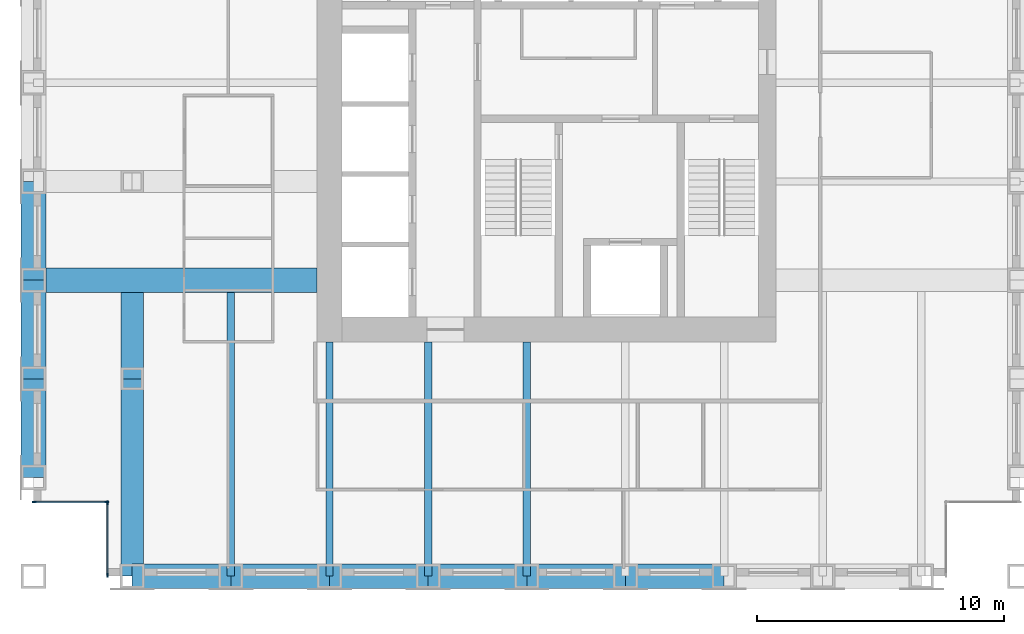
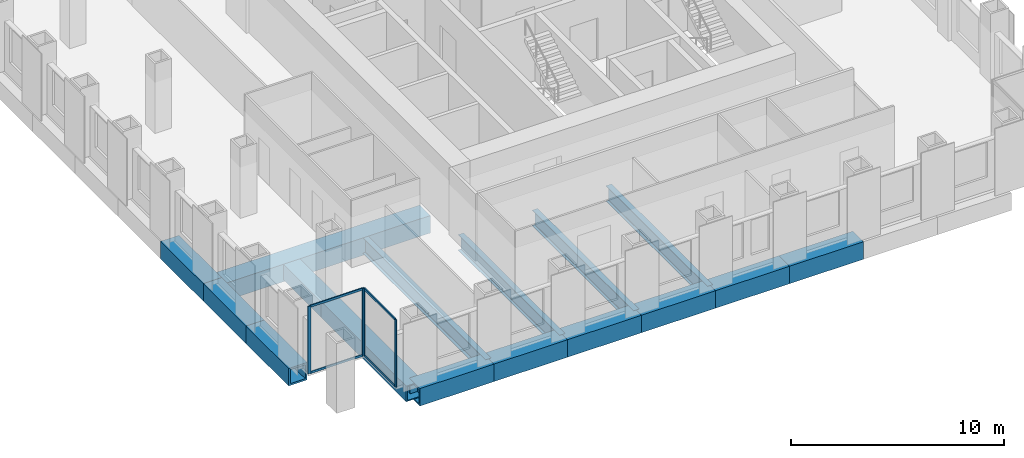
# One storey, part 2 of 13: 16 beams, 8 members, 2 elements without a shape of their own.
"""IFC4 building model written with IfcOpenShell, lengths in metres."""

from ifc_helpers import new_model, si_unit, direction, frame, origin, origin_2d, place, context, subcontext, project, spatial, rectangle, hollow_rectangle, i_section, extrude, material, material_profile, profile_set, type_object, element, aggregate, save


model = new_model("IFC4")

# Units and contexts
model_context = context("Model", 3, precision=1e-05, world=origin(), true_north=direction((0.0, 1.0)))
body_context = subcontext(model_context, "Body", "Model", "MODEL_VIEW")
ifc_project = project(units=[si_unit("LENGTHUNIT", "METRE"), si_unit("AREAUNIT", "SQUARE_METRE"), si_unit("VOLUMEUNIT", "CUBIC_METRE"), si_unit("PLANEANGLEUNIT", "RADIAN"), si_unit("MASSUNIT", "GRAM", prefix="KILO")], contexts=[model_context])

# Site, building, storey
site_placement = place(None, origin())
site = spatial("IfcSite", under=ifc_project, at=site_placement, CompositionType="ELEMENT")
building_placement = place(site_placement, origin())
building = spatial("IfcBuilding", under=site, at=building_placement, Name="Rimbunsela Tower", CompositionType="ELEMENT")
storey_placement = place(building_placement, frame((0.0, 0.0, 195.800048828125)))
storey = spatial("IfcBuildingStorey", under=building, at=storey_placement, Name="L47", CompositionType="ELEMENT", Elevation=195.800048828125)

# Beams
ifc_material_1 = material(Name="Steel BJ 55 (fy 410 MPa)", Category="steel")
ifc_material_profile_1 = material_profile(ifc_material_1, hollow_rectangle(XDim=1.0, YDim=1.0, WallThickness=0.10009765625, at=origin_2d()), Name="BOX 1000x1000x100")
ifc_profile_set_1 = profile_set([ifc_material_profile_1], Name="Steel BJ 55 (fy 410 MPa)")
beam_type_1 = type_object("IfcBeamType", Name="Beam BOX 1000x1000x100", PredefinedType="BEAM", material=ifc_profile_set_1)
for number, where, z_axis, x_axis, name in (
    (1, (6.0, 12.0, -0.650146484375), (0.0, 1.0, 0.0), (-1.0, 0.0, 0.0), "Beam B3 L47"),
    (2, (6.0, 16.0, -0.650146484375), (0.0, 1.0, 0.0), (-1.0, 0.0, 0.0), "Beam B3 L47"),
    (3, (6.0, 20.0, -0.650146484375), (0.0, 1.0, 0.0), (-1.0, 0.0, 0.0), "Beam B3 L47"),
):
    element("IfcBeam", number, at=place(storey_placement, frame(where, z_axis=z_axis, x_axis=x_axis)), inside=storey, type_object=beam_type_1, Name=name, PredefinedType="BEAM", context=body_context, shape_type="SweptSolid", body=[
        extrude(hollow_rectangle(XDim=1.0, YDim=1.0, WallThickness=0.10009765625, at=origin_2d()), origin(), (0.0, 0.0, 1.0), 4.0),
    ])
beam_1_placement = place(storey_placement, frame((6.0, 20.0, -0.650146484375), z_axis=(1.0, 0.0, 0.0), x_axis=(0.0, 1.0, 0.0)))
element("IfcBeam", 4, at=beam_1_placement, inside=storey, type_object=beam_type_1, Name="Beam B3 L47", PredefinedType="BEAM", context=body_context, shape_type="SweptSolid", body=[
    extrude(hollow_rectangle(XDim=1.0, YDim=1.0, WallThickness=0.10009765625, at=origin_2d()), origin(), (0.0, 0.0, 1.0), 11.5),
])
for number, where, z_axis, x_axis, name in (
    (5, (10.0, 8.0, -0.650146484375), (1.0, 0.0, 0.0), (0.0, 1.0, 0.0), "Beam B3 L47"),
    (6, (14.0, 8.0, -0.650146484375), (1.0, 0.0, 0.0), (0.0, 1.0, 0.0), "Beam B3 L47"),
    (7, (18.0, 8.0, -0.650146484375), (1.0, 0.0, 0.0), (0.0, 1.0, 0.0), "Beam B3 L47"),
    (8, (22.0, 8.0, -0.650146484375), (1.0, 0.0, 0.0), (0.0, 1.0, 0.0), "Beam B3 L47"),
    (9, (26.0, 8.0, -0.650146484375), (1.0, 0.0, 0.0), (0.0, 1.0, 0.0), "Beam B3 L47"),
    (10, (30.0, 8.0, -0.650146484375), (1.0, 0.0, 0.0), (0.0, 1.0, 0.0), "Beam B3 L47"),
):
    element("IfcBeam", number, at=place(storey_placement, frame(where, z_axis=z_axis, x_axis=x_axis)), inside=storey, type_object=beam_type_1, Name=name, PredefinedType="BEAM", context=body_context, shape_type="SweptSolid", body=[
        extrude(hollow_rectangle(XDim=1.0, YDim=1.0, WallThickness=0.10009765625, at=origin_2d()), origin(), (0.0, 0.0, 1.0), 4.0),
    ])
ifc_material_2 = material(Name="Steel BJ 55 (fy 410 MPa)", Category="steel")
ifc_material_profile_2 = material_profile(ifc_material_2, hollow_rectangle(XDim=0.89990234375, YDim=0.89990234375, WallThickness=0.06005859375, at=origin_2d()), Name="BOX 900x900x60")
ifc_profile_set_2 = profile_set([ifc_material_profile_2], Name="Steel BJ 55 (fy 410 MPa)")
beam_type_2 = type_object("IfcBeamType", Name="Beam BOX 900x900x60", PredefinedType="BEAM", material=ifc_profile_set_2)
beam_2_placement = place(storey_placement, frame((10.0, 8.0, -0.60009765625), z_axis=(0.0, 1.0, 0.0), x_axis=(-1.0, 0.0, 0.0)))
element("IfcBeam", 11, at=beam_2_placement, inside=storey, type_object=beam_type_2, Name="Beam B1 L47", PredefinedType="BEAM", context=body_context, shape_type="SweptSolid", body=[
    extrude(hollow_rectangle(XDim=0.89990234375, YDim=0.89990234375, WallThickness=0.06005859375, at=origin_2d()), origin(), (0.0, 0.0, 1.0), 8.0),
])
beam_3_placement = place(storey_placement, frame((10.0, 16.0, -0.60009765625), z_axis=(0.0, 1.0, 0.0), x_axis=(-1.0, 0.0, 0.0)))
element("IfcBeam", 12, at=beam_3_placement, inside=storey, type_object=beam_type_2, Name="Beam B1 L47", PredefinedType="BEAM", context=body_context, shape_type="SweptSolid", body=[
    extrude(hollow_rectangle(XDim=0.89990234375, YDim=0.89990234375, WallThickness=0.06005859375, at=origin_2d()), origin(), (0.0, 0.0, 1.0), 3.5),
])
ifc_material_3 = material(Name="Steel BJ 55 (fy 410 MPa)", Category="steel")
ifc_material_profile_3 = material_profile(ifc_material_3, i_section(OverallWidth=0.300048828125, OverallDepth=0.89990234375, WebThickness=0.01611328125, FlangeThickness=0.028076171875, FilletRadius=0.028076171875, at=origin_2d()), Name="H 900x300x16x28")
ifc_profile_set_3 = profile_set([ifc_material_profile_3], Name="Steel BJ 55 (fy 410 MPa)")
beam_type_3 = type_object("IfcBeamType", Name="Beam H 900x300x16x28", PredefinedType="BEAM", material=ifc_profile_set_3)
beam_4_placement = place(storey_placement, frame((14.0, 8.0, -0.60009765625), z_axis=(0.0, 1.0, 0.0), x_axis=(-1.0, 0.0, 0.0)))
element("IfcBeam", 13, at=beam_4_placement, inside=storey, type_object=beam_type_3, Name="Beam B2 L47", PredefinedType="BEAM", context=body_context, shape_type="SweptSolid", body=[
    extrude(i_section(OverallWidth=0.300048828125, OverallDepth=0.89990234375, WebThickness=0.01611328125, FlangeThickness=0.028076171875, FilletRadius=0.028076171875, at=origin_2d()), origin(), (0.0, 0.0, 1.0), 11.5),
])
for number, where, z_axis, x_axis, name in (
    (14, (18.0, 8.0, -0.60009765625), (0.0, 1.0, 0.0), (-1.0, 0.0, 0.0), "Beam B2 L47"),
    (15, (22.0, 8.0, -0.60009765625), (0.0, 1.0, 0.0), (-1.0, 0.0, 0.0), "Beam B2 L47"),
    (16, (26.0, 8.0, -0.60009765625), (0.0, 1.0, 0.0), (-1.0, 0.0, 0.0), "Beam B2 L47"),
):
    element("IfcBeam", number, at=place(storey_placement, frame(where, z_axis=z_axis, x_axis=x_axis)), inside=storey, type_object=beam_type_3, Name=name, PredefinedType="BEAM", context=body_context, shape_type="SweptSolid", body=[
        extrude(i_section(OverallWidth=0.300048828125, OverallDepth=0.89990234375, WebThickness=0.01611328125, FlangeThickness=0.028076171875, FilletRadius=0.028076171875, at=origin_2d()), origin(), (0.0, 0.0, 1.0), 9.5),
    ])

# Curtain wall, members
ifc_material_4 = material(Name="Aluminium curtain wall", Category="aluminium")
curtain_wall_type = type_object("IfcCurtainWallType", Name="Corner glazing", PredefinedType="USERDEFINED", material=ifc_material_4)
curtain_wall_1_placement = place(storey_placement, origin())
curtain_wall_1 = element("IfcCurtainWall", 17, at=curtain_wall_1_placement, inside=storey, type_object=curtain_wall_type, Name="Corner glazing L47", ObjectType="CORNER GLAZING", PredefinedType="USERDEFINED")
ifc_material_5 = material(Name="Aluminium mullion", Category="aluminium")
ifc_material_profile_4 = material_profile(ifc_material_5, rectangle(XDim=0.06005859375, YDim=0.159912109375, at=origin_2d()), Name="Mullion 60x160")
ifc_profile_set_4 = profile_set([ifc_material_profile_4], Name="Aluminium mullion")
member_type_1 = type_object("IfcMemberType", Name="Curtain wall mullion 60x160", PredefinedType="MULLION", material=ifc_profile_set_4)
member_1_placement = place(storey_placement, frame((6.030029296875, 11.0, 0.0), z_axis=(0.0, 0.0, 1.0), x_axis=(0.0, 1.0, 0.0)))
member_1 = element("IfcMember", 18, at=member_1_placement, type_object=member_type_1, Name="CW5 mullion 1", PredefinedType="MULLION", context=body_context, shape_type="SweptSolid", body=[
    extrude(rectangle(XDim=0.06005859375, YDim=0.159912109375, at=origin_2d()), origin(), (0.0, 0.0, 1.0), 3.849853515625),
])
member_2_placement = place(storey_placement, frame((8.969970703125, 11.0, 0.0), z_axis=(0.0, 0.0, 1.0), x_axis=(0.0, 1.0, 0.0)))
member_2 = element("IfcMember", 19, at=member_2_placement, type_object=member_type_1, Name="CW5 mullion 2", PredefinedType="MULLION", context=body_context, shape_type="SweptSolid", body=[
    extrude(rectangle(XDim=0.06005859375, YDim=0.159912109375, at=origin_2d()), origin(), (0.0, 0.0, 1.0), 3.849853515625),
])

curtain_wall_2_placement = place(storey_placement, origin())
curtain_wall_2 = element("IfcCurtainWall", 20, at=curtain_wall_2_placement, inside=storey, type_object=curtain_wall_type, Name="Corner glazing L47", ObjectType="CORNER GLAZING", PredefinedType="USERDEFINED")
member_3_placement = place(storey_placement, frame((9.0, 10.969970703125, 0.0), z_axis=(0.0, 0.0, 1.0), x_axis=(1.0, 0.0, 0.0)))
member_3 = element("IfcMember", 21, at=member_3_placement, type_object=member_type_1, Name="CW5 mullion 1", PredefinedType="MULLION", context=body_context, shape_type="SweptSolid", body=[
    extrude(rectangle(XDim=0.06005859375, YDim=0.159912109375, at=origin_2d()), origin(), (0.0, 0.0, 1.0), 3.849853515625),
])
member_4_placement = place(storey_placement, frame((9.0, 8.030029296875, 0.0), z_axis=(0.0, 0.0, 1.0), x_axis=(1.0, 0.0, 0.0)))
member_4 = element("IfcMember", 22, at=member_4_placement, type_object=member_type_1, Name="CW5 mullion 2", PredefinedType="MULLION", context=body_context, shape_type="SweptSolid", body=[
    extrude(rectangle(XDim=0.06005859375, YDim=0.159912109375, at=origin_2d()), origin(), (0.0, 0.0, 1.0), 3.849853515625),
])

# Member
ifc_material_6 = material(Name="Aluminium transom", Category="aluminium")
ifc_material_profile_5 = material_profile(ifc_material_6, rectangle(XDim=0.06005859375, YDim=0.1201171875, at=origin_2d()), Name="Transom 60x120")
ifc_profile_set_5 = profile_set([ifc_material_profile_5], Name="Aluminium transom")
member_type_2 = type_object("IfcMemberType", Name="Curtain wall transom 60x120", PredefinedType="USERDEFINED", material=ifc_profile_set_5)
member_5_placement = place(storey_placement, frame((6.06005859375, 11.0, 0.030029296875), z_axis=(1.0, 0.0, 0.0), x_axis=(0.0, 1.0, 0.0)))
member_5 = element("IfcMember", 23, at=member_5_placement, type_object=member_type_2, Name="CW5 transom 1.1", ObjectType="TRANSOM", PredefinedType="USERDEFINED", context=body_context, shape_type="SweptSolid", body=[
    extrude(rectangle(XDim=0.06005859375, YDim=0.1201171875, at=origin_2d()), origin(), (0.0, 0.0, 1.0), 2.8798828125),
])

member_6_placement = place(storey_placement, frame((6.06005859375, 11.0, 3.820068359375), z_axis=(1.0, 0.0, 0.0), x_axis=(0.0, 1.0, 0.0)))
member_6 = element("IfcMember", 24, at=member_6_placement, type_object=member_type_2, Name="CW5 transom 1.2", ObjectType="TRANSOM", PredefinedType="USERDEFINED", context=body_context, shape_type="SweptSolid", body=[
    extrude(rectangle(XDim=0.06005859375, YDim=0.1201171875, at=origin_2d()), origin(), (0.0, 0.0, 1.0), 2.8798828125),
])

aggregate(curtain_wall_1, [member_1, member_2, member_5, member_6])

member_7_placement = place(storey_placement, frame((9.0, 10.93994140625, 0.030029296875), z_axis=(0.0, -1.0, 0.0), x_axis=(1.0, 0.0, 0.0)))
member_7 = element("IfcMember", 25, at=member_7_placement, type_object=member_type_2, Name="CW5 transom 1.1", ObjectType="TRANSOM", PredefinedType="USERDEFINED", context=body_context, shape_type="SweptSolid", body=[
    extrude(rectangle(XDim=0.06005859375, YDim=0.1201171875, at=origin_2d()), origin(), (0.0, 0.0, 1.0), 2.8798828125),
])

member_8_placement = place(storey_placement, frame((9.0, 10.93994140625, 3.820068359375), z_axis=(0.0, -1.0, 0.0), x_axis=(1.0, 0.0, 0.0)))
member_8 = element("IfcMember", 26, at=member_8_placement, type_object=member_type_2, Name="CW5 transom 1.2", ObjectType="TRANSOM", PredefinedType="USERDEFINED", context=body_context, shape_type="SweptSolid", body=[
    extrude(rectangle(XDim=0.06005859375, YDim=0.1201171875, at=origin_2d()), origin(), (0.0, 0.0, 1.0), 2.8798828125),
])

aggregate(curtain_wall_2, [member_3, member_4, member_7, member_8])

save(model, "model.ifc")
